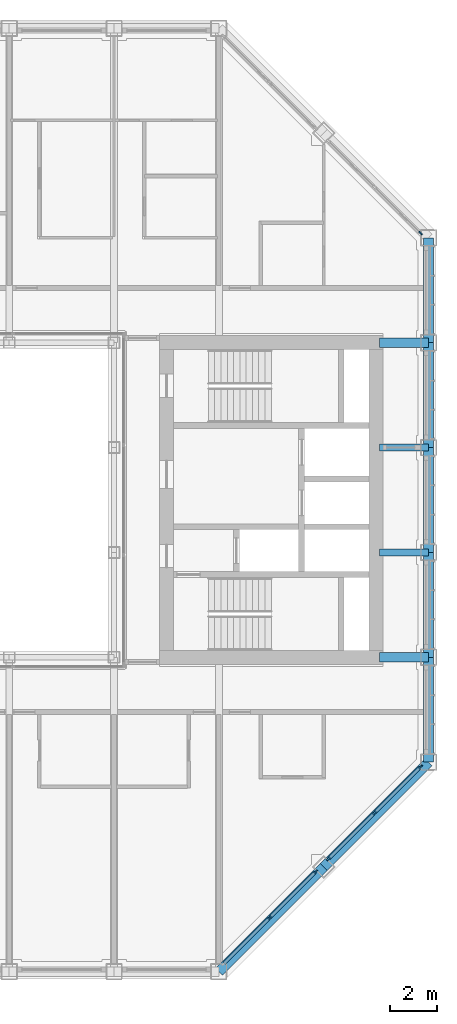
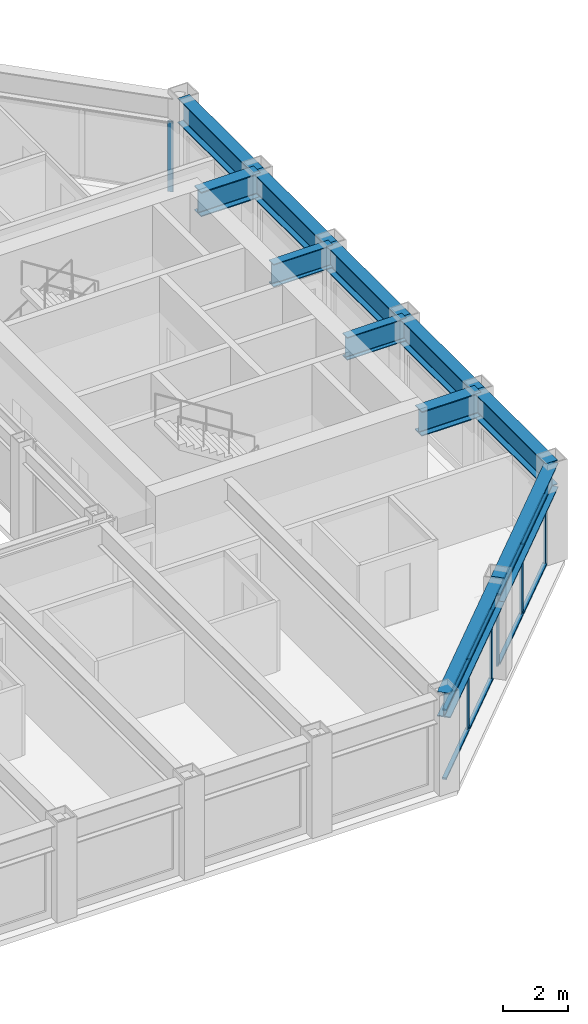
# One storey, part 5 of 18: 14 members, 11 beams, 3 elements without a shape of their own.
"""IFC4 building model written with IfcOpenShell, lengths in metres."""

from ifc_helpers import new_model, si_unit, direction, frame, origin, origin_2d, place, context, subcontext, project, spatial, rectangle, i_section, extrude, material, material_profile, profile_set, type_object, element, aggregate, save


model = new_model("IFC4")

# Units and contexts
model_context = context("Model", 3, precision=1e-05, world=origin(), true_north=direction((0.0, 1.0)))
body_context = subcontext(model_context, "Body", "Model", "MODEL_VIEW")
ifc_project = project(units=[si_unit("LENGTHUNIT", "METRE"), si_unit("AREAUNIT", "SQUARE_METRE"), si_unit("VOLUMEUNIT", "CUBIC_METRE"), si_unit("PLANEANGLEUNIT", "RADIAN"), si_unit("MASSUNIT", "GRAM", prefix="KILO")], contexts=[model_context])

# Site, building, storey
site_placement = place(None, origin())
site = spatial("IfcSite", under=ifc_project, at=site_placement, CompositionType="ELEMENT")
building_placement = place(site_placement, origin())
building = spatial("IfcBuilding", under=site, at=building_placement, Name="Msasa Ring Tower", CompositionType="ELEMENT")
storey_placement = place(building_placement, frame((0.0, 0.0, 227.050048828125)))
storey = spatial("IfcBuildingStorey", under=building, at=storey_placement, Name="L59", CompositionType="ELEMENT", Elevation=227.050048828125)

# Curtain wall, members
ifc_material_1 = material(Name="Aluminium curtain wall with clear glass", Category="aluminium")
curtain_wall_type = type_object("IfcCurtainWallType", Name="CW-C CHAMFER CORNER CURTAIN WALL", PredefinedType="NOTDEFINED", material=ifc_material_1)
curtain_wall_1_placement = place(storey_placement, origin())
curtain_wall_1 = element("IfcCurtainWall", 1, at=curtain_wall_1_placement, inside=storey, type_object=curtain_wall_type, Name="Chamfer corner curtain wall SE L59", PredefinedType="NOTDEFINED")
ifc_material_2 = material(Name="Aluminium mullion", Category="aluminium")
ifc_material_profile_1 = material_profile(ifc_material_2, rectangle(XDim=0.06494140625, YDim=0.179931640625, at=origin_2d()), Name="AL 65x180")
ifc_profile_set_1 = profile_set([ifc_material_profile_1], Name="Aluminium mullion")
member_type_1 = type_object("IfcMemberType", Name="CW-C MULLION 65x180", PredefinedType="MULLION", material=ifc_profile_set_1)
member_1_placement = place(storey_placement, frame((13.42919921875, -17.92919921875, 0.0), z_axis=(0.0, 0.0, 1.0), x_axis=(-0.707106781187, 0.707106781187, 0.0)))
member_1 = element("IfcMember", 2, at=member_1_placement, type_object=member_type_1, Name="CW-C mullion 2", PredefinedType="MULLION", context=body_context, shape_type="SweptSolid", body=[
    extrude(rectangle(XDim=0.06494140625, YDim=0.179931640625, at=origin_2d()), origin(), (0.0, 0.0, 1.0), 2.62890625),
])
member_2_placement = place(storey_placement, frame((15.4052734375, -15.953369140625, 0.0), z_axis=(0.0, 0.0, 1.0), x_axis=(-0.707106781187, 0.707106781187, 0.0)))
member_2 = element("IfcMember", 3, at=member_2_placement, type_object=member_type_1, Name="CW-C mullion 3", PredefinedType="MULLION", context=body_context, shape_type="SweptSolid", body=[
    extrude(rectangle(XDim=0.06494140625, YDim=0.179931640625, at=origin_2d()), origin(), (0.0, 0.0, 1.0), 2.62890625),
])

curtain_wall_2_placement = place(storey_placement, origin())
curtain_wall_2 = element("IfcCurtainWall", 4, at=curtain_wall_2_placement, inside=storey, type_object=curtain_wall_type, Name="Chamfer corner curtain wall SE L59", PredefinedType="NOTDEFINED")
member_3_placement = place(storey_placement, frame((15.953369140625, -15.4052734375, 0.0), z_axis=(0.0, 0.0, 1.0), x_axis=(-0.707106781187, 0.707106781187, 0.0)))
member_3 = element("IfcMember", 5, at=member_3_placement, type_object=member_type_1, Name="CW-C mullion 1", PredefinedType="MULLION", context=body_context, shape_type="SweptSolid", body=[
    extrude(rectangle(XDim=0.06494140625, YDim=0.179931640625, at=origin_2d()), origin(), (0.0, 0.0, 1.0), 2.62890625),
])
member_4_placement = place(storey_placement, frame((17.92919921875, -13.42919921875, 0.0), z_axis=(0.0, 0.0, 1.0), x_axis=(-0.707106781187, 0.707106781187, 0.0)))
member_4 = element("IfcMember", 6, at=member_4_placement, type_object=member_type_1, Name="CW-C mullion 2", PredefinedType="MULLION", context=body_context, shape_type="SweptSolid", body=[
    extrude(rectangle(XDim=0.06494140625, YDim=0.179931640625, at=origin_2d()), origin(), (0.0, 0.0, 1.0), 2.62890625),
])
member_5_placement = place(storey_placement, frame((19.9052734375, -11.453369140625, 0.0), z_axis=(0.0, 0.0, 1.0), x_axis=(-0.707106781187, 0.707106781187, 0.0)))
member_5 = element("IfcMember", 7, at=member_5_placement, type_object=member_type_1, Name="CW-C mullion 3", PredefinedType="MULLION", context=body_context, shape_type="SweptSolid", body=[
    extrude(rectangle(XDim=0.06494140625, YDim=0.179931640625, at=origin_2d()), origin(), (0.0, 0.0, 1.0), 2.62890625),
])

# Curtain wall, member
curtain_wall_3_placement = place(storey_placement, origin())
curtain_wall_3 = element("IfcCurtainWall", 8, at=curtain_wall_3_placement, inside=storey, type_object=curtain_wall_type, Name="Chamfer corner curtain wall NE L59", PredefinedType="NOTDEFINED")
member_6_placement = place(storey_placement, frame((19.9052734375, 11.453369140625, 0.0), z_axis=(0.0, 0.0, 1.0), x_axis=(-0.707106781187, -0.707106781187, 0.0)))
member_6 = element("IfcMember", 9, at=member_6_placement, type_object=member_type_1, Name="CW-C mullion 1", PredefinedType="MULLION", context=body_context, shape_type="SweptSolid", body=[
    extrude(rectangle(XDim=0.06494140625, YDim=0.179931640625, at=origin_2d()), origin(), (0.0, 0.0, 1.0), 2.62890625),
])
aggregate(curtain_wall_3, [member_6])

# Member
ifc_material_3 = material(Name="Aluminium transom", Category="aluminium")
ifc_material_profile_2 = material_profile(ifc_material_3, rectangle(XDim=0.139892578125, YDim=0.06494140625, at=origin_2d()), Name="AL 65x140")
ifc_profile_set_2 = profile_set([ifc_material_profile_2], Name="Aluminium transom")
member_type_2 = type_object("IfcMemberType", Name="CW-C TRANSOM 65x140", PredefinedType="USERDEFINED", material=ifc_profile_set_2)
member_7_placement = place(storey_placement, frame((11.476318359375, -19.88232421875, 0.032470703125), z_axis=(0.707106781187, 0.707106781187, 0.0), x_axis=(-0.707106781187, 0.707106781187, 0.0)))
member_7 = element("IfcMember", 10, at=member_7_placement, type_object=member_type_2, Name="CW-C transom 1.1", ObjectType="TRANSOM", PredefinedType="USERDEFINED", context=body_context, shape_type="SweptSolid", body=[
    extrude(rectangle(XDim=0.139892578125, YDim=0.06494140625, at=origin_2d()), origin(), (0.0, 0.0, 1.0), 2.729248046875),
])

member_8_placement = place(storey_placement, frame((11.476318359375, -19.88232421875, 2.596435546875), z_axis=(0.707106781187, 0.707106781187, 0.0), x_axis=(-0.707106781187, 0.707106781187, 0.0)))
member_8 = element("IfcMember", 11, at=member_8_placement, type_object=member_type_2, Name="CW-C transom 1.2", ObjectType="TRANSOM", PredefinedType="USERDEFINED", context=body_context, shape_type="SweptSolid", body=[
    extrude(rectangle(XDim=0.139892578125, YDim=0.06494140625, at=origin_2d()), origin(), (0.0, 0.0, 1.0), 2.729248046875),
])

member_9_placement = place(storey_placement, frame((13.452392578125, -17.90625, 0.032470703125), z_axis=(0.707106781187, 0.707106781187, 0.0), x_axis=(-0.707106781187, 0.707106781187, 0.0)))
member_9 = element("IfcMember", 12, at=member_9_placement, type_object=member_type_2, Name="CW-C transom 2.1", ObjectType="TRANSOM", PredefinedType="USERDEFINED", context=body_context, shape_type="SweptSolid", body=[
    extrude(rectangle(XDim=0.139892578125, YDim=0.06494140625, at=origin_2d()), origin(), (0.0, 0.0, 1.0), 2.729248046875),
])

member_10_placement = place(storey_placement, frame((13.452392578125, -17.90625, 2.596435546875), z_axis=(0.707106781187, 0.707106781187, 0.0), x_axis=(-0.707106781187, 0.707106781187, 0.0)))
member_10 = element("IfcMember", 13, at=member_10_placement, type_object=member_type_2, Name="CW-C transom 2.2", ObjectType="TRANSOM", PredefinedType="USERDEFINED", context=body_context, shape_type="SweptSolid", body=[
    extrude(rectangle(XDim=0.139892578125, YDim=0.06494140625, at=origin_2d()), origin(), (0.0, 0.0, 1.0), 2.729248046875),
])

aggregate(curtain_wall_1, [member_1, member_2, member_7, member_8, member_9, member_10])

member_11_placement = place(storey_placement, frame((15.976318359375, -15.38232421875, 0.032470703125), z_axis=(0.707106781187, 0.707106781187, 0.0), x_axis=(-0.707106781187, 0.707106781187, 0.0)))
member_11 = element("IfcMember", 14, at=member_11_placement, type_object=member_type_2, Name="CW-C transom 1.1", ObjectType="TRANSOM", PredefinedType="USERDEFINED", context=body_context, shape_type="SweptSolid", body=[
    extrude(rectangle(XDim=0.139892578125, YDim=0.06494140625, at=origin_2d()), origin(), (0.0, 0.0, 1.0), 2.729248046875),
])

member_12_placement = place(storey_placement, frame((15.976318359375, -15.38232421875, 2.596435546875), z_axis=(0.707106781187, 0.707106781187, 0.0), x_axis=(-0.707106781187, 0.707106781187, 0.0)))
member_12 = element("IfcMember", 15, at=member_12_placement, type_object=member_type_2, Name="CW-C transom 1.2", ObjectType="TRANSOM", PredefinedType="USERDEFINED", context=body_context, shape_type="SweptSolid", body=[
    extrude(rectangle(XDim=0.139892578125, YDim=0.06494140625, at=origin_2d()), origin(), (0.0, 0.0, 1.0), 2.729248046875),
])

member_13_placement = place(storey_placement, frame((17.952392578125, -13.40625, 0.032470703125), z_axis=(0.707106781187, 0.707106781187, 0.0), x_axis=(-0.707106781187, 0.707106781187, 0.0)))
member_13 = element("IfcMember", 16, at=member_13_placement, type_object=member_type_2, Name="CW-C transom 2.1", ObjectType="TRANSOM", PredefinedType="USERDEFINED", context=body_context, shape_type="SweptSolid", body=[
    extrude(rectangle(XDim=0.139892578125, YDim=0.06494140625, at=origin_2d()), origin(), (0.0, 0.0, 1.0), 2.729248046875),
])

member_14_placement = place(storey_placement, frame((17.952392578125, -13.40625, 2.596435546875), z_axis=(0.707106781187, 0.707106781187, 0.0), x_axis=(-0.707106781187, 0.707106781187, 0.0)))
member_14 = element("IfcMember", 17, at=member_14_placement, type_object=member_type_2, Name="CW-C transom 2.2", ObjectType="TRANSOM", PredefinedType="USERDEFINED", context=body_context, shape_type="SweptSolid", body=[
    extrude(rectangle(XDim=0.139892578125, YDim=0.06494140625, at=origin_2d()), origin(), (0.0, 0.0, 1.0), 2.729248046875),
])

aggregate(curtain_wall_2, [member_3, member_4, member_5, member_11, member_12, member_13, member_14])

# Beams
ifc_material_4 = material(Name="Steel S355", Category="steel")
ifc_material_profile_3 = material_profile(ifc_material_4, i_section(OverallWidth=0.293701171875, OverallDepth=0.850830078125, WebThickness=0.01611328125, FlangeThickness=0.02685546875, FilletRadius=0.017822265625, at=origin_2d()), Name="UB 838x292x226")
ifc_profile_set_3 = profile_set([ifc_material_profile_3], Name="Steel S355")
beam_type_1 = type_object("IfcBeamType", Name="FB5 UB 838x292x226", PredefinedType="BEAM", material=ifc_profile_set_3)
for number, where, z_axis, x_axis, name in (
    (18, (20.25, -2.25, 3.12451171875), (-1.0, 0.0, 0.0), (0.0, -1.0, 0.0), "Floor beam E -2.25 under L60"),
    (19, (20.25, 2.25, 3.12451171875), (-1.0, 0.0, 0.0), (0.0, -1.0, 0.0), "Floor beam E +2.25 under L60"),
):
    element("IfcBeam", number, at=place(storey_placement, frame(where, z_axis=z_axis, x_axis=x_axis)), inside=storey, type_object=beam_type_1, Name=name, PredefinedType="BEAM", context=body_context, shape_type="SweptSolid", body=[
        extrude(i_section(OverallWidth=0.293701171875, OverallDepth=0.850830078125, WebThickness=0.01611328125, FlangeThickness=0.02685546875, FilletRadius=0.017822265625, at=origin_2d()), origin(), (0.0, 0.0, 1.0), 2.10009765625),
    ])
ifc_material_5 = material(Name="Steel S355", Category="steel")
ifc_material_profile_4 = material_profile(ifc_material_5, i_section(OverallWidth=0.42041015625, OverallDepth=0.9208984375, WebThickness=0.021484375, FlangeThickness=0.03662109375, FilletRadius=0.024169921875, at=origin_2d()), Name="UB 914x419x388")
ifc_profile_set_4 = profile_set([ifc_material_profile_4], Name="Steel S355")
beam_type_2 = type_object("IfcBeamType", Name="GB1 UB 914x419x388", PredefinedType="BEAM", material=ifc_profile_set_4)
for number, where, z_axis, x_axis, name in (
    (20, (18.14990234375, 6.75, 3.08935546875), (1.0, 0.0, 0.0), (0.0, 1.0, 0.0), "Girder E +6.75 under L60"),
    (21, (18.14990234375, -6.75, 3.08935546875), (1.0, 0.0, 0.0), (0.0, 1.0, 0.0), "Girder E -6.75 under L60"),
):
    element("IfcBeam", number, at=place(storey_placement, frame(where, z_axis=z_axis, x_axis=x_axis)), inside=storey, type_object=beam_type_2, Name=name, PredefinedType="BEAM", context=body_context, shape_type="SweptSolid", body=[
        extrude(i_section(OverallWidth=0.42041015625, OverallDepth=0.9208984375, WebThickness=0.021484375, FlangeThickness=0.03662109375, FilletRadius=0.024169921875, at=origin_2d()), origin(), (0.0, 0.0, 1.0), 2.10009765625),
    ])
ifc_material_6 = material(Name="Steel S355", Category="steel")
ifc_material_profile_5 = material_profile(ifc_material_6, i_section(OverallWidth=0.42041015625, OverallDepth=0.9208984375, WebThickness=0.021484375, FlangeThickness=0.03662109375, FilletRadius=0.024169921875, at=origin_2d()), Name="UB 914x419x388")
ifc_profile_set_5 = profile_set([ifc_material_profile_5], Name="Steel S355")
beam_type_3 = type_object("IfcBeamType", Name="SB1 UB 914x419x388", PredefinedType="SPANDREL", material=ifc_profile_set_5)
for number, where, z_axis, x_axis, name in (
    (22, (11.25, -20.25, 3.08935546875), (0.707106781187, 0.707106781187, 0.0), (-0.707106781187, 0.707106781187, 0.0), "Spandrel S+11.25 to SE under L60"),
    (23, (15.75, -15.75, 3.08935546875), (0.707106781187, 0.707106781187, 0.0), (-0.707106781187, 0.707106781187, 0.0), "Spandrel SE to E-11.25 under L60"),
):
    element("IfcBeam", number, at=place(storey_placement, frame(where, z_axis=z_axis, x_axis=x_axis)), inside=storey, type_object=beam_type_3, Name=name, PredefinedType="SPANDREL", context=body_context, shape_type="SweptSolid", body=[
        extrude(i_section(OverallWidth=0.42041015625, OverallDepth=0.9208984375, WebThickness=0.021484375, FlangeThickness=0.03662109375, FilletRadius=0.024169921875, at=origin_2d()), origin(), (0.0, 0.0, 1.0), 6.364013671875),
    ])
for number, where, z_axis, x_axis, name in (
    (24, (20.25, -11.25, 3.08935546875), (0.0, 1.0, 0.0), (-1.0, 0.0, 0.0), "Spandrel E-11.25 to E-6.75 under L60"),
    (25, (20.25, -6.75, 3.08935546875), (0.0, 1.0, 0.0), (-1.0, 0.0, 0.0), "Spandrel E-6.75 to E-2.25 under L60"),
    (26, (20.25, -2.25, 3.08935546875), (0.0, 1.0, 0.0), (-1.0, 0.0, 0.0), "Spandrel E-2.25 to E+2.25 under L60"),
    (27, (20.25, 2.25, 3.08935546875), (0.0, 1.0, 0.0), (-1.0, 0.0, 0.0), "Spandrel E+2.25 to E+6.75 under L60"),
    (28, (20.25, 6.75, 3.08935546875), (0.0, 1.0, 0.0), (-1.0, 0.0, 0.0), "Spandrel E+6.75 to E+11.25 under L60"),
):
    element("IfcBeam", number, at=place(storey_placement, frame(where, z_axis=z_axis, x_axis=x_axis)), inside=storey, type_object=beam_type_3, Name=name, PredefinedType="SPANDREL", context=body_context, shape_type="SweptSolid", body=[
        extrude(i_section(OverallWidth=0.42041015625, OverallDepth=0.9208984375, WebThickness=0.021484375, FlangeThickness=0.03662109375, FilletRadius=0.024169921875, at=origin_2d()), origin(), (0.0, 0.0, 1.0), 4.5),
    ])

save(model, "model.ifc")
